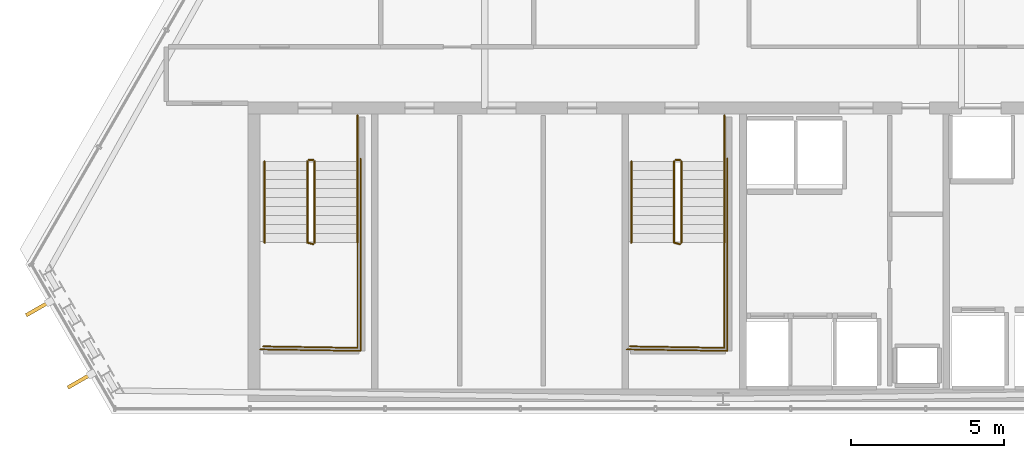
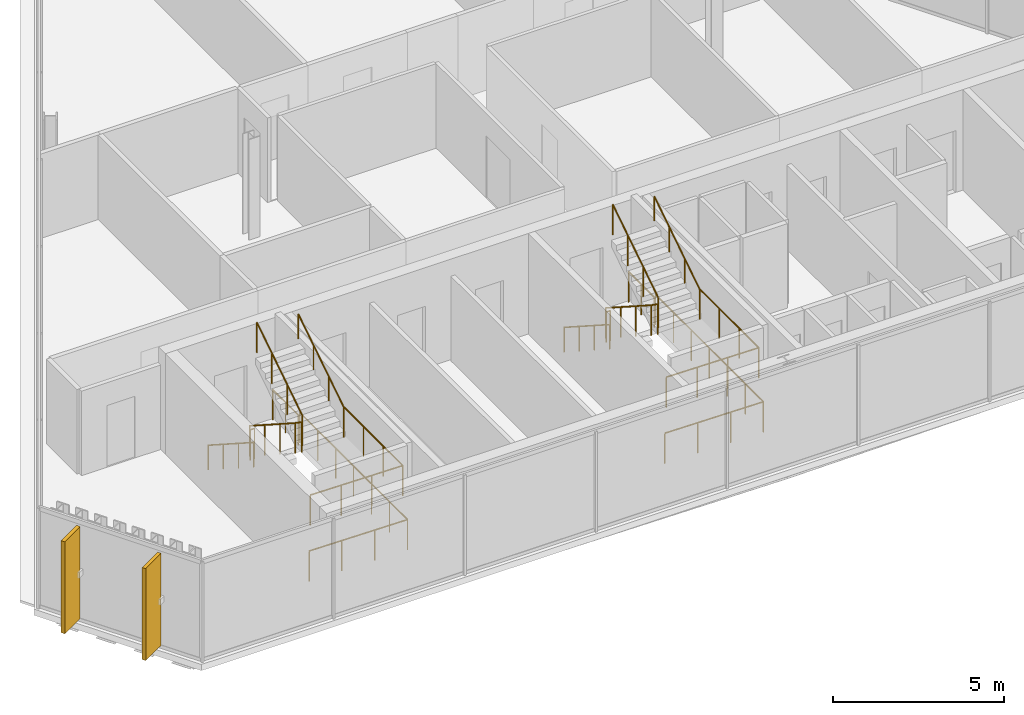
# One storey, part 32 of 34: 16 railings, 2 shading devices.
"""IFC4 building model written with IfcOpenShell, lengths in metres."""

from ifc_helpers import new_model, si_unit, direction, frame, origin, origin_2d, place, context, subcontext, project, spatial, rectangle, circle, extrude, material, layer, layer_set, type_object, element, save


model = new_model("IFC4")

# Units and contexts
model_context = context("Model", 3, precision=1e-05, world=origin(), true_north=direction((0.0, 1.0)))
body_context = subcontext(model_context, "Body", "Model", "MODEL_VIEW")
ifc_project = project(units=[si_unit("LENGTHUNIT", "METRE"), si_unit("AREAUNIT", "SQUARE_METRE"), si_unit("VOLUMEUNIT", "CUBIC_METRE"), si_unit("PLANEANGLEUNIT", "RADIAN"), si_unit("MASSUNIT", "GRAM", prefix="KILO")], contexts=[model_context])

# Site, building, storey
site_placement = place(None, origin())
site = spatial("IfcSite", under=ifc_project, at=site_placement, CompositionType="ELEMENT")
building_placement = place(site_placement, origin())
building = spatial("IfcBuilding", under=site, at=building_placement, Name="Ndaravel Arena Tower", CompositionType="ELEMENT")
storey_placement = place(building_placement, frame((0.0, 0.0, 263.60009765625)))
storey = spatial("IfcBuildingStorey", under=building, at=storey_placement, Name="L64", CompositionType="ELEMENT", Elevation=263.60009765625)

# Railings
ifc_material_1 = material(Name="Steel S355", Category="steel")
ifc_layer_1 = layer(ifc_material_1, 0.06005859375)
ifc_layer_set_1 = layer_set([ifc_layer_1], Name="Steel S355")
railing_type_1 = type_object("IfcRailingType", Name="RAIL-STAIR-GD1100", PredefinedType="GUARDRAIL", material=ifc_layer_set_1)
railing_1_placement = place(storey_placement, frame((28.39990234375, 13.25, 0.18994140625)))
element("IfcRailing", 1, at=railing_1_placement, inside=storey, type_object=railing_type_1, Name="L64 ST-1 stair guard 1", PredefinedType="GUARDRAIL", context=body_context, shape_type="SweptSolid", body=[
    extrude(circle(Radius=0.02392578125, at=origin_2d()), frame((0.0, 0.0, 1.076171875), z_axis=(0.0, -0.840723540582, 0.54146461409), x_axis=(1.0, 0.0, 0.0)), (0.0, 0.0, 1.0), 3.157958984375),
    extrude(circle(Radius=0.02392578125, at=origin_2d()), frame((0.0, -2.655029296875, 2.7861328125), z_axis=(0.967074537263, -0.25449329928, 0.0), x_axis=(0.25449329928, 0.967074537263, 0.0)), (0.0, 0.0, 1.0), 0.19677734375),
    extrude(circle(Radius=0.02099609375, at=origin_2d()), origin(), (0.0, 0.0, 1.0), 1.052001953125),
    extrude(circle(Radius=0.02099609375, at=origin_2d()), frame((0.0, -0.885009765625, 0.570068359375)), (0.0, 0.0, 1.0), 1.052001953125),
    extrude(circle(Radius=0.02099609375, at=origin_2d()), frame((0.0, -1.77001953125, 1.139892578125)), (0.0, 0.0, 1.0), 1.052001953125),
    extrude(circle(Radius=0.02099609375, at=origin_2d()), frame((0.0, -2.655029296875, 1.7099609375)), (0.0, 0.0, 1.0), 1.052001953125),
    extrude(circle(Radius=0.02099609375, at=origin_2d()), frame((0.190185546875, -2.705078125, 1.7099609375)), (0.0, 0.0, 1.0), 1.052001953125),
])
railing_2_placement = place(storey_placement, frame((30.0400390625, 10.594970703125, 1.89990234375)))
element("IfcRailing", 2, at=railing_2_placement, inside=storey, type_object=railing_type_1, Name="L64 ST-1 stair guard 2", PredefinedType="GUARDRAIL", context=body_context, shape_type="SweptSolid", body=[
    extrude(circle(Radius=0.02392578125, at=origin_2d()), frame((0.0, 0.0, 1.076171875), z_axis=(0.0, -1.0, 0.0), x_axis=(1.0, 0.0, 0.0)), (0.0, 0.0, 1.0), 3.445068359375),
    extrude(circle(Radius=0.02392578125, at=origin_2d()), frame((0.0, -3.445068359375, 1.076171875), z_axis=(-0.999868861343, 0.016194447071, 0.0), x_axis=(-0.016194447071, -0.999868861343, 0.0)), (0.0, 0.0, 1.0), 3.090576171875),
    extrude(circle(Radius=0.02099609375, at=origin_2d()), origin(), (0.0, 0.0, 1.0), 1.052001953125),
    extrude(circle(Radius=0.02099609375, at=origin_2d()), frame((0.0, -1.1484375, 0.0)), (0.0, 0.0, 1.0), 1.052001953125),
    extrude(circle(Radius=0.02099609375, at=origin_2d()), frame((0.0, -2.296630859375, 0.0)), (0.0, 0.0, 1.0), 1.052001953125),
    extrude(circle(Radius=0.02099609375, at=origin_2d()), frame((0.0, -3.445068359375, 0.0)), (0.0, 0.0, 1.0), 1.052001953125),
    extrude(circle(Radius=0.02099609375, at=origin_2d()), frame((-1.030029296875, -3.428466796875, 0.0)), (0.0, 0.0, 1.0), 1.052001953125),
    extrude(circle(Radius=0.02099609375, at=origin_2d()), frame((-2.06005859375, -3.41162109375, 0.0)), (0.0, 0.0, 1.0), 1.052001953125),
    extrude(circle(Radius=0.02099609375, at=origin_2d()), frame((-3.090087890625, -3.39501953125, 0.0)), (0.0, 0.0, 1.0), 1.052001953125),
])
railing_3_placement = place(storey_placement, frame((28.639892578125, 10.594970703125, 2.08984375)))
element("IfcRailing", 3, at=railing_3_placement, inside=storey, type_object=railing_type_1, Name="L64 ST-1 stair guard 3", PredefinedType="GUARDRAIL", context=body_context, shape_type="SweptSolid", body=[
    extrude(circle(Radius=0.02392578125, at=origin_2d()), frame((0.0, 0.0, 1.076171875), z_axis=(0.0, 0.840723540582, 0.54146461409), x_axis=(-1.0, 0.0, 0.0)), (0.0, 0.0, 1.0), 3.157958984375),
    extrude(circle(Radius=0.02099609375, at=origin_2d()), origin(), (0.0, 0.0, 1.0), 1.052001953125),
    extrude(circle(Radius=0.02099609375, at=origin_2d()), frame((0.0, 0.885009765625, 0.570068359375)), (0.0, 0.0, 1.0), 1.052001953125),
    extrude(circle(Radius=0.02099609375, at=origin_2d()), frame((0.0, 1.77001953125, 1.139892578125)), (0.0, 0.0, 1.0), 1.052001953125),
    extrude(circle(Radius=0.02099609375, at=origin_2d()), frame((0.0, 2.655029296875, 1.7099609375)), (0.0, 0.0, 1.0), 1.052001953125),
])
railing_4_placement = place(storey_placement, frame((28.449951171875, 13.300048828125, 0.0)))
element("IfcRailing", 4, at=railing_4_placement, inside=storey, type_object=railing_type_1, Name="L64 ST-1 stair guard 4", PredefinedType="GUARDRAIL", context=body_context, shape_type="SweptSolid", body=[
    extrude(circle(Radius=0.02392578125, at=origin_2d()), frame((0.0, 0.0, 1.076171875), z_axis=(1.0, 0.0, 0.0), x_axis=(0.0, 1.0, 0.0)), (0.0, 0.0, 1.0), 0.14013671875),
    extrude(circle(Radius=0.02099609375, at=origin_2d()), origin(), (0.0, 0.0, 1.0), 1.052001953125),
    extrude(circle(Radius=0.02099609375, at=origin_2d()), frame((0.14013671875, 0.0, 0.0)), (0.0, 0.0, 1.0), 1.052001953125),
])
railing_5_placement = place(storey_placement, frame((30.0400390625, 14.75, 0.0)))
element("IfcRailing", 5, at=railing_5_placement, inside=storey, type_object=railing_type_1, Name="L64 ST-1 stair guard 5", PredefinedType="GUARDRAIL", context=body_context, shape_type="SweptSolid", body=[
    extrude(circle(Radius=0.02392578125, at=origin_2d()), frame((0.0, 0.0, 1.076171875), z_axis=(0.0, -1.0, 0.0), x_axis=(1.0, 0.0, 0.0)), (0.0, 0.0, 1.0), 1.5),
    extrude(circle(Radius=0.02099609375, at=origin_2d()), origin(), (0.0, 0.0, 1.0), 1.052001953125),
    extrude(circle(Radius=0.02099609375, at=origin_2d()), frame((0.0, -0.75, 0.0)), (0.0, 0.0, 1.0), 1.052001953125),
    extrude(circle(Radius=0.02099609375, at=origin_2d()), frame((0.0, -1.5, 0.0)), (0.0, 0.0, 1.0), 1.052001953125),
])
railing_6_placement = place(storey_placement, frame((30.139892578125, 13.35009765625, 0.0)))
element("IfcRailing", 6, at=railing_6_placement, inside=storey, type_object=railing_type_1, Name="L64 ST-1 stair guard 6", PredefinedType="GUARDRAIL", context=body_context, shape_type="SweptSolid", body=[
    extrude(circle(Radius=0.02392578125, at=origin_2d()), frame((0.0, 0.0, 1.076171875), z_axis=(0.0, -1.0, 0.0), x_axis=(1.0, 0.0, 0.0)), (0.0, 0.0, 1.0), 6.300048828125),
    extrude(circle(Radius=0.02392578125, at=origin_2d()), frame((0.0, -6.300048828125, 1.076171875), z_axis=(-0.999884296952, 0.015211597839, 0.0), x_axis=(-0.015211597839, -0.999884296952, 0.0)), (0.0, 0.0, 1.0), 3.290283203125),
    extrude(circle(Radius=0.02099609375, at=origin_2d()), origin(), (0.0, 0.0, 1.0), 1.052001953125),
    extrude(circle(Radius=0.02099609375, at=origin_2d()), frame((0.0, -1.050048828125, 0.0)), (0.0, 0.0, 1.0), 1.052001953125),
    extrude(circle(Radius=0.02099609375, at=origin_2d()), frame((0.0, -2.10009765625, 0.0)), (0.0, 0.0, 1.0), 1.052001953125),
    extrude(circle(Radius=0.02099609375, at=origin_2d()), frame((0.0, -3.14990234375, 0.0)), (0.0, 0.0, 1.0), 1.052001953125),
    extrude(circle(Radius=0.02099609375, at=origin_2d()), frame((0.0, -4.199951171875, 0.0)), (0.0, 0.0, 1.0), 1.052001953125),
    extrude(circle(Radius=0.02099609375, at=origin_2d()), frame((0.0, -5.25, 0.0)), (0.0, 0.0, 1.0), 1.052001953125),
    extrude(circle(Radius=0.02099609375, at=origin_2d()), frame((0.0, -6.300048828125, 0.0)), (0.0, 0.0, 1.0), 1.052001953125),
    extrude(circle(Radius=0.02099609375, at=origin_2d()), frame((-1.0966796875, -6.283447265625, 0.0)), (0.0, 0.0, 1.0), 1.052001953125),
    extrude(circle(Radius=0.02099609375, at=origin_2d()), frame((-2.193115234375, -6.2666015625, 0.0)), (0.0, 0.0, 1.0), 1.052001953125),
    extrude(circle(Radius=0.02099609375, at=origin_2d()), frame((-3.289794921875, -6.25, 0.0)), (0.0, 0.0, 1.0), 1.052001953125),
])
railing_7_placement = place(storey_placement, frame((40.39990234375, 13.25, 0.18994140625)))
element("IfcRailing", 7, at=railing_7_placement, inside=storey, type_object=railing_type_1, Name="L64 ST-2 stair guard 1", PredefinedType="GUARDRAIL", context=body_context, shape_type="SweptSolid", body=[
    extrude(circle(Radius=0.02392578125, at=origin_2d()), frame((0.0, 0.0, 1.076171875), z_axis=(0.0, -0.840723540582, 0.54146461409), x_axis=(1.0, 0.0, 0.0)), (0.0, 0.0, 1.0), 3.157958984375),
    extrude(circle(Radius=0.02392578125, at=origin_2d()), frame((0.0, -2.655029296875, 2.7861328125), z_axis=(0.967074537263, -0.25449329928, 0.0), x_axis=(0.25449329928, 0.967074537263, 0.0)), (0.0, 0.0, 1.0), 0.19677734375),
    extrude(circle(Radius=0.02099609375, at=origin_2d()), origin(), (0.0, 0.0, 1.0), 1.052001953125),
    extrude(circle(Radius=0.02099609375, at=origin_2d()), frame((0.0, -0.885009765625, 0.570068359375)), (0.0, 0.0, 1.0), 1.052001953125),
    extrude(circle(Radius=0.02099609375, at=origin_2d()), frame((0.0, -1.77001953125, 1.139892578125)), (0.0, 0.0, 1.0), 1.052001953125),
    extrude(circle(Radius=0.02099609375, at=origin_2d()), frame((0.0, -2.655029296875, 1.7099609375)), (0.0, 0.0, 1.0), 1.052001953125),
    extrude(circle(Radius=0.02099609375, at=origin_2d()), frame((0.190185546875, -2.705078125, 1.7099609375)), (0.0, 0.0, 1.0), 1.052001953125),
])
railing_8_placement = place(storey_placement, frame((42.0400390625, 10.594970703125, 1.89990234375)))
element("IfcRailing", 8, at=railing_8_placement, inside=storey, type_object=railing_type_1, Name="L64 ST-2 stair guard 2", PredefinedType="GUARDRAIL", context=body_context, shape_type="SweptSolid", body=[
    extrude(circle(Radius=0.02392578125, at=origin_2d()), frame((0.0, 0.0, 1.076171875), z_axis=(0.0, -1.0, 0.0), x_axis=(1.0, 0.0, 0.0)), (0.0, 0.0, 1.0), 3.445068359375),
    extrude(circle(Radius=0.02392578125, at=origin_2d()), frame((0.0, -3.445068359375, 1.076171875), z_axis=(-0.999868861343, 0.016194447071, 0.0), x_axis=(-0.016194447071, -0.999868861343, 0.0)), (0.0, 0.0, 1.0), 3.090576171875),
    extrude(circle(Radius=0.02099609375, at=origin_2d()), origin(), (0.0, 0.0, 1.0), 1.052001953125),
    extrude(circle(Radius=0.02099609375, at=origin_2d()), frame((0.0, -1.1484375, 0.0)), (0.0, 0.0, 1.0), 1.052001953125),
    extrude(circle(Radius=0.02099609375, at=origin_2d()), frame((0.0, -2.296630859375, 0.0)), (0.0, 0.0, 1.0), 1.052001953125),
    extrude(circle(Radius=0.02099609375, at=origin_2d()), frame((0.0, -3.445068359375, 0.0)), (0.0, 0.0, 1.0), 1.052001953125),
    extrude(circle(Radius=0.02099609375, at=origin_2d()), frame((-1.030029296875, -3.428466796875, 0.0)), (0.0, 0.0, 1.0), 1.052001953125),
    extrude(circle(Radius=0.02099609375, at=origin_2d()), frame((-2.06005859375, -3.41162109375, 0.0)), (0.0, 0.0, 1.0), 1.052001953125),
    extrude(circle(Radius=0.02099609375, at=origin_2d()), frame((-3.090087890625, -3.39501953125, 0.0)), (0.0, 0.0, 1.0), 1.052001953125),
])
railing_9_placement = place(storey_placement, frame((40.639892578125, 10.594970703125, 2.08984375)))
element("IfcRailing", 9, at=railing_9_placement, inside=storey, type_object=railing_type_1, Name="L64 ST-2 stair guard 3", PredefinedType="GUARDRAIL", context=body_context, shape_type="SweptSolid", body=[
    extrude(circle(Radius=0.02392578125, at=origin_2d()), frame((0.0, 0.0, 1.076171875), z_axis=(0.0, 0.840723540582, 0.54146461409), x_axis=(-1.0, 0.0, 0.0)), (0.0, 0.0, 1.0), 3.157958984375),
    extrude(circle(Radius=0.02099609375, at=origin_2d()), origin(), (0.0, 0.0, 1.0), 1.052001953125),
    extrude(circle(Radius=0.02099609375, at=origin_2d()), frame((0.0, 0.885009765625, 0.570068359375)), (0.0, 0.0, 1.0), 1.052001953125),
    extrude(circle(Radius=0.02099609375, at=origin_2d()), frame((0.0, 1.77001953125, 1.139892578125)), (0.0, 0.0, 1.0), 1.052001953125),
    extrude(circle(Radius=0.02099609375, at=origin_2d()), frame((0.0, 2.655029296875, 1.7099609375)), (0.0, 0.0, 1.0), 1.052001953125),
])
railing_10_placement = place(storey_placement, frame((40.449951171875, 13.300048828125, 0.0)))
element("IfcRailing", 10, at=railing_10_placement, inside=storey, type_object=railing_type_1, Name="L64 ST-2 stair guard 4", PredefinedType="GUARDRAIL", context=body_context, shape_type="SweptSolid", body=[
    extrude(circle(Radius=0.02392578125, at=origin_2d()), frame((0.0, 0.0, 1.076171875), z_axis=(1.0, 0.0, 0.0), x_axis=(0.0, 1.0, 0.0)), (0.0, 0.0, 1.0), 0.14013671875),
    extrude(circle(Radius=0.02099609375, at=origin_2d()), origin(), (0.0, 0.0, 1.0), 1.052001953125),
    extrude(circle(Radius=0.02099609375, at=origin_2d()), frame((0.14013671875, 0.0, 0.0)), (0.0, 0.0, 1.0), 1.052001953125),
])
railing_11_placement = place(storey_placement, frame((42.0400390625, 14.75, 0.0)))
element("IfcRailing", 11, at=railing_11_placement, inside=storey, type_object=railing_type_1, Name="L64 ST-2 stair guard 5", PredefinedType="GUARDRAIL", context=body_context, shape_type="SweptSolid", body=[
    extrude(circle(Radius=0.02392578125, at=origin_2d()), frame((0.0, 0.0, 1.076171875), z_axis=(0.0, -1.0, 0.0), x_axis=(1.0, 0.0, 0.0)), (0.0, 0.0, 1.0), 1.5),
    extrude(circle(Radius=0.02099609375, at=origin_2d()), origin(), (0.0, 0.0, 1.0), 1.052001953125),
    extrude(circle(Radius=0.02099609375, at=origin_2d()), frame((0.0, -0.75, 0.0)), (0.0, 0.0, 1.0), 1.052001953125),
    extrude(circle(Radius=0.02099609375, at=origin_2d()), frame((0.0, -1.5, 0.0)), (0.0, 0.0, 1.0), 1.052001953125),
])
railing_12_placement = place(storey_placement, frame((42.139892578125, 13.35009765625, 0.0)))
element("IfcRailing", 12, at=railing_12_placement, inside=storey, type_object=railing_type_1, Name="L64 ST-2 stair guard 6", PredefinedType="GUARDRAIL", context=body_context, shape_type="SweptSolid", body=[
    extrude(circle(Radius=0.02392578125, at=origin_2d()), frame((0.0, 0.0, 1.076171875), z_axis=(0.0, -1.0, 0.0), x_axis=(1.0, 0.0, 0.0)), (0.0, 0.0, 1.0), 6.300048828125),
    extrude(circle(Radius=0.02392578125, at=origin_2d()), frame((0.0, -6.300048828125, 1.076171875), z_axis=(-0.999884296952, 0.015211597839, 0.0), x_axis=(-0.015211597839, -0.999884296952, 0.0)), (0.0, 0.0, 1.0), 3.290283203125),
    extrude(circle(Radius=0.02099609375, at=origin_2d()), origin(), (0.0, 0.0, 1.0), 1.052001953125),
    extrude(circle(Radius=0.02099609375, at=origin_2d()), frame((0.0, -1.050048828125, 0.0)), (0.0, 0.0, 1.0), 1.052001953125),
    extrude(circle(Radius=0.02099609375, at=origin_2d()), frame((0.0, -2.10009765625, 0.0)), (0.0, 0.0, 1.0), 1.052001953125),
    extrude(circle(Radius=0.02099609375, at=origin_2d()), frame((0.0, -3.14990234375, 0.0)), (0.0, 0.0, 1.0), 1.052001953125),
    extrude(circle(Radius=0.02099609375, at=origin_2d()), frame((0.0, -4.199951171875, 0.0)), (0.0, 0.0, 1.0), 1.052001953125),
    extrude(circle(Radius=0.02099609375, at=origin_2d()), frame((0.0, -5.25, 0.0)), (0.0, 0.0, 1.0), 1.052001953125),
    extrude(circle(Radius=0.02099609375, at=origin_2d()), frame((0.0, -6.300048828125, 0.0)), (0.0, 0.0, 1.0), 1.052001953125),
    extrude(circle(Radius=0.02099609375, at=origin_2d()), frame((-1.0966796875, -6.283447265625, 0.0)), (0.0, 0.0, 1.0), 1.052001953125),
    extrude(circle(Radius=0.02099609375, at=origin_2d()), frame((-2.193115234375, -6.2666015625, 0.0)), (0.0, 0.0, 1.0), 1.052001953125),
    extrude(circle(Radius=0.02099609375, at=origin_2d()), frame((-3.289794921875, -6.25, 0.0)), (0.0, 0.0, 1.0), 1.052001953125),
])
ifc_material_2 = material(Name="Steel S355", Category="steel")
ifc_layer_2 = layer(ifc_material_2, 0.050048828125)
ifc_layer_set_2 = layer_set([ifc_layer_2], Name="Steel S355")
railing_type_2 = type_object("IfcRailingType", Name="RAIL-STAIR-HR920", PredefinedType="HANDRAIL", material=ifc_layer_set_2)
railing_13_placement = place(storey_placement, frame((27.0, 13.25, 0.18994140625)))
element("IfcRailing", 13, at=railing_13_placement, inside=storey, type_object=railing_type_2, Name="L64 ST-1 stair handrail 1", PredefinedType="HANDRAIL", context=body_context, shape_type="SweptSolid", body=[
    extrude(circle(Radius=0.02392578125, at=origin_2d()), frame((0.0, 0.0, 0.8759765625), z_axis=(0.0, -0.840723540582, 0.54146461409), x_axis=(1.0, 0.0, 0.0)), (0.0, 0.0, 1.0), 3.157958984375),
    extrude(circle(Radius=0.02099609375, at=origin_2d()), origin(), (0.0, 0.0, 1.0), 0.851806640625),
    extrude(circle(Radius=0.02099609375, at=origin_2d()), frame((0.0, -0.885009765625, 0.570068359375)), (0.0, 0.0, 1.0), 0.851806640625),
    extrude(circle(Radius=0.02099609375, at=origin_2d()), frame((0.0, -1.77001953125, 1.139892578125)), (0.0, 0.0, 1.0), 0.851806640625),
    extrude(circle(Radius=0.02099609375, at=origin_2d()), frame((0.0, -2.655029296875, 1.7099609375)), (0.0, 0.0, 1.0), 0.851806640625),
])
railing_14_placement = place(storey_placement, frame((30.0400390625, 10.594970703125, 2.08984375)))
element("IfcRailing", 14, at=railing_14_placement, inside=storey, type_object=railing_type_2, Name="L64 ST-1 stair handrail 2", PredefinedType="HANDRAIL", context=body_context, shape_type="SweptSolid", body=[
    extrude(circle(Radius=0.02392578125, at=origin_2d()), frame((0.0, 0.0, 0.8759765625), z_axis=(0.0, 0.840723540582, 0.54146461409), x_axis=(-1.0, 0.0, 0.0)), (0.0, 0.0, 1.0), 3.157958984375),
    extrude(circle(Radius=0.02099609375, at=origin_2d()), origin(), (0.0, 0.0, 1.0), 0.851806640625),
    extrude(circle(Radius=0.02099609375, at=origin_2d()), frame((0.0, 0.885009765625, 0.570068359375)), (0.0, 0.0, 1.0), 0.851806640625),
    extrude(circle(Radius=0.02099609375, at=origin_2d()), frame((0.0, 1.77001953125, 1.139892578125)), (0.0, 0.0, 1.0), 0.851806640625),
    extrude(circle(Radius=0.02099609375, at=origin_2d()), frame((0.0, 2.655029296875, 1.7099609375)), (0.0, 0.0, 1.0), 0.851806640625),
])
railing_15_placement = place(storey_placement, frame((39.0, 13.25, 0.18994140625)))
element("IfcRailing", 15, at=railing_15_placement, inside=storey, type_object=railing_type_2, Name="L64 ST-2 stair handrail 1", PredefinedType="HANDRAIL", context=body_context, shape_type="SweptSolid", body=[
    extrude(circle(Radius=0.02392578125, at=origin_2d()), frame((0.0, 0.0, 0.8759765625), z_axis=(0.0, -0.840723540582, 0.54146461409), x_axis=(1.0, 0.0, 0.0)), (0.0, 0.0, 1.0), 3.157958984375),
    extrude(circle(Radius=0.02099609375, at=origin_2d()), origin(), (0.0, 0.0, 1.0), 0.851806640625),
    extrude(circle(Radius=0.02099609375, at=origin_2d()), frame((0.0, -0.885009765625, 0.570068359375)), (0.0, 0.0, 1.0), 0.851806640625),
    extrude(circle(Radius=0.02099609375, at=origin_2d()), frame((0.0, -1.77001953125, 1.139892578125)), (0.0, 0.0, 1.0), 0.851806640625),
    extrude(circle(Radius=0.02099609375, at=origin_2d()), frame((0.0, -2.655029296875, 1.7099609375)), (0.0, 0.0, 1.0), 0.851806640625),
])
railing_16_placement = place(storey_placement, frame((42.0400390625, 10.594970703125, 2.08984375)))
element("IfcRailing", 16, at=railing_16_placement, inside=storey, type_object=railing_type_2, Name="L64 ST-2 stair handrail 2", PredefinedType="HANDRAIL", context=body_context, shape_type="SweptSolid", body=[
    extrude(circle(Radius=0.02392578125, at=origin_2d()), frame((0.0, 0.0, 0.8759765625), z_axis=(0.0, 0.840723540582, 0.54146461409), x_axis=(-1.0, 0.0, 0.0)), (0.0, 0.0, 1.0), 3.157958984375),
    extrude(circle(Radius=0.02099609375, at=origin_2d()), origin(), (0.0, 0.0, 1.0), 0.851806640625),
    extrude(circle(Radius=0.02099609375, at=origin_2d()), frame((0.0, 0.885009765625, 0.570068359375)), (0.0, 0.0, 1.0), 0.851806640625),
    extrude(circle(Radius=0.02099609375, at=origin_2d()), frame((0.0, 1.77001953125, 1.139892578125)), (0.0, 0.0, 1.0), 0.851806640625),
    extrude(circle(Radius=0.02099609375, at=origin_2d()), frame((0.0, 2.655029296875, 1.7099609375)), (0.0, 0.0, 1.0), 0.851806640625),
])

# Shading devices
ifc_material_3 = material(Name="Masonry", Category="masonry")
shading_device_type = type_object("IfcShadingDeviceType", Name="SHD-MAZERAS-FIN", PredefinedType="SHUTTER", material=ifc_material_3)
for number, where, z_axis, x_axis, name in (
    (17, (19.5888671875, 8.439697265625, 0.14990234375), (0.0, 0.0, 1.0), (-0.866025403784, -0.5, 0.0), "L64 Mazeras Stone Solar Fin E6.1"),
    (18, (20.9541015625, 6.0751953125, 0.14990234375), (0.0, 0.0, 1.0), (-0.866025403784, -0.5, 0.0), "L64 Mazeras Stone Solar Fin E6.2"),
):
    element("IfcShadingDevice", number, at=place(storey_placement, frame(where, z_axis=z_axis, x_axis=x_axis)), inside=storey, type_object=shading_device_type, Name=name, PredefinedType="SHUTTER", context=body_context, shape_type="SweptSolid", body=[
        extrude(rectangle(XDim=0.89990234375, YDim=0.1201171875, at=origin_2d()), origin(), (0.0, 0.0, 1.0), 3.280029296875),
    ])

save(model, "model.ifc")
